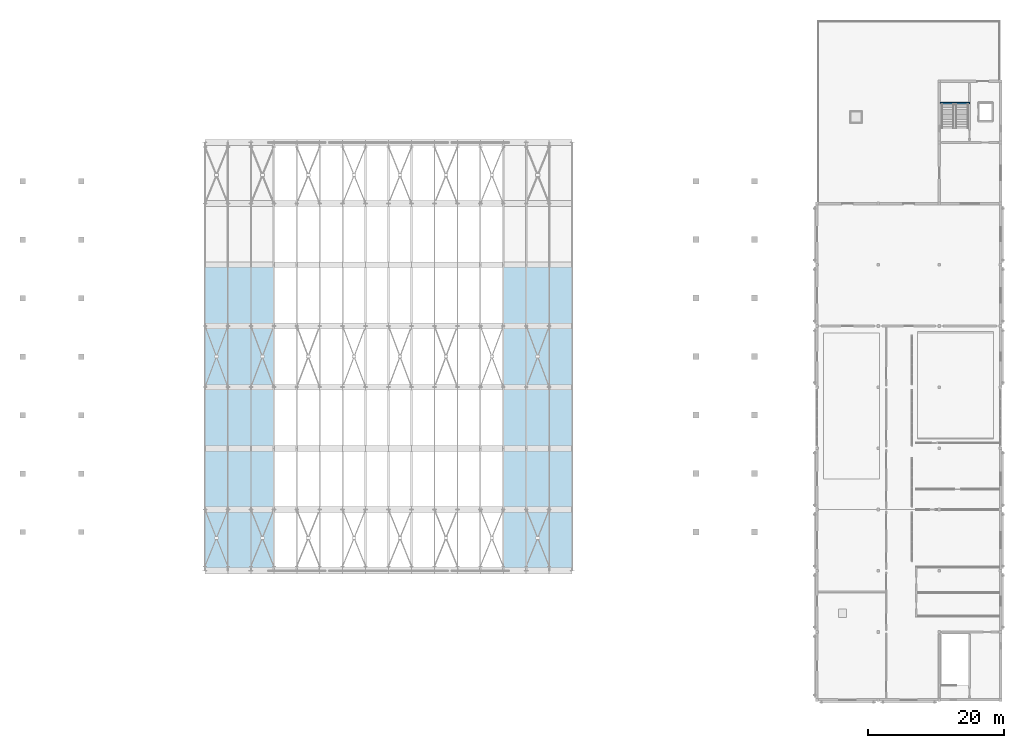
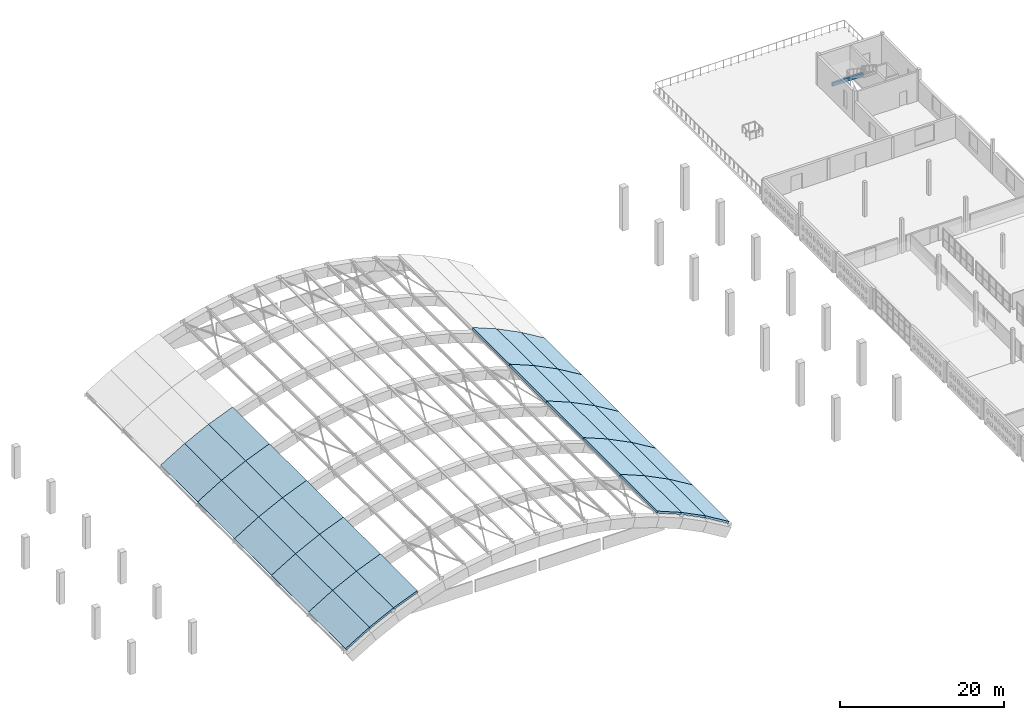
# One storey, part 15 of 30: 30 slabs, 1 beam.
"""IFC4 building model written with IfcOpenShell, lengths in metres."""

from ifc_helpers import new_model, si_unit, direction, frame, origin, origin_2d, place, context, subcontext, project, spatial, polyline, rectangle, outline, extrude, material, layer, layer_set, material_profile, profile_set, type_object, element, save


model = new_model("IFC4")

# Units and contexts
model_context = context("Model", 3, precision=1e-05, world=origin(), true_north=direction((0.0, 1.0)))
body_context = subcontext(model_context, "Body", "Model", "MODEL_VIEW")
ifc_project = project(units=[si_unit("LENGTHUNIT", "METRE"), si_unit("AREAUNIT", "SQUARE_METRE"), si_unit("VOLUMEUNIT", "CUBIC_METRE"), si_unit("PLANEANGLEUNIT", "RADIAN"), si_unit("MASSUNIT", "GRAM", prefix="KILO")], contexts=[model_context])

# Site, building, storey
site_placement = place(None, origin())
site = spatial("IfcSite", under=ifc_project, at=site_placement, CompositionType="ELEMENT")
building_placement = place(site_placement, origin())
building = spatial("IfcBuilding", under=site, at=building_placement, Name="Ornek Quay Market", CompositionType="ELEMENT")
storey_placement = place(building_placement, frame((0.0, 0.0, 12.0)))
storey = spatial("IfcBuildingStorey", under=building, at=storey_placement, Name="L03", CompositionType="ELEMENT", Elevation=12.0)

# Beam
ifc_material_1 = material(Name="Concrete C35/45", Category="concrete")
ifc_material_profile = material_profile(ifc_material_1, rectangle(XDim=0.280029296875, YDim=0.5, at=origin_2d()), Name="RC 280x500", Category="concrete")
ifc_profile_set = profile_set([ifc_material_profile], Name="Concrete C35/45")
beam_type = type_object("IfcBeamType", Name="BM-SEC-280x500", PredefinedType="JOIST", material=ifc_profile_set)
beam_placement = place(storey_placement, frame((171.14990234375, 97.7919921875, 1.909912109375), z_axis=(1.0, 0.0, 0.0), x_axis=(0.0, 1.0, 0.0)))
element("IfcBeam", 1, at=beam_placement, inside=storey, type_object=beam_type, Name="Stair landing beam BL-13", PredefinedType="JOIST", context=body_context, shape_type="SweptSolid", body=[
    extrude(rectangle(XDim=0.280029296875, YDim=0.5, at=origin_2d()), origin(), (0.0, 0.0, 1.0), 4.300048828125),
])

# Slabs
ifc_material_2 = material(Name="Concrete C45/55", Category="concrete")
ifc_layer = layer(ifc_material_2, 0.2900390625, Name="Concrete C45/55", Category="concrete")
ifc_layer_set = layer_set([ifc_layer], Name="Concrete C45/55")
slab_type = type_object("IfcSlabType", Name="SL-VLT-SHELL-290", PredefinedType="ROOF", material=ifc_layer_set)
slab_1_placement = place(storey_placement, frame((63.0, 29.0, -2.409912109375), z_axis=(-0.516434771675, 0.0, 0.856326530364), x_axis=(0.856326530364, 0.0, 0.516434771675)))
element("IfcSlab", 2, at=slab_1_placement, inside=storey, type_object=slab_type, Name="Sloped roof slab S-081 (L03)", PredefinedType="ROOF", context=body_context, shape_type="SweptSolid", body=[
    extrude(outline(polyline([(0.0, 0.0), (3.9412535759776235, 0.0), (3.9412535759776235, 9.0), (0.0, 9.0), (0.0, 0.0)])), origin(), (0.0, 0.0, -1.0), 0.2900390625),
])
slab_2_placement = place(storey_placement, frame((66.375, 29.0, -0.37451171875), z_axis=(-0.447575811248, 0.0, 0.894245991428), x_axis=(0.894245991428, 0.0, 0.447575811248)))
element("IfcSlab", 3, at=slab_2_placement, inside=storey, type_object=slab_type, Name="Sloped roof slab S-082 (L03)", PredefinedType="ROOF", context=body_context, shape_type="SweptSolid", body=[
    extrude(outline(polyline([(0.0, 0.0), (3.774129302619774, 0.0), (3.774129302619774, 9.000000000000002), (0.0, 9.000000000000002), (0.0, 0.0)])), origin(), (0.0, 0.0, -1.0), 0.2900390625),
])
for number, where, z_axis, x_axis, name in (
    (4, (69.75, 29.0, 1.314697265625), (-0.378731904742, 0.0, 0.925506425872), (0.925506425872, 0.0, 0.378731904742), "Sloped roof slab S-083 (L03)"),
    (5, (106.875, 29.0, 2.69580078125), (0.378731904742, 0.0, 0.925506425872), (0.925506425872, 0.0, -0.378731904742), "Sloped roof slab S-094 (L03)"),
):
    element("IfcSlab", number, at=place(storey_placement, frame(where, z_axis=z_axis, x_axis=x_axis)), inside=storey, type_object=slab_type, Name=name, PredefinedType="ROOF", context=body_context, shape_type="SweptSolid", body=[
        extrude(outline(polyline([(0.0, 0.0), (3.646652152436771, 0.0), (3.646652152436771, 9.0), (0.0, 9.0), (0.0, 0.0)])), origin(), (0.0, 0.0, -1.0), 0.2900390625),
    ])
slab_3_placement = place(storey_placement, frame((110.25, 29.0, 1.314697265625), z_axis=(0.447575811248, 0.0, 0.894245991428), x_axis=(0.894245991428, 0.0, -0.447575811248)))
element("IfcSlab", 6, at=slab_3_placement, inside=storey, type_object=slab_type, Name="Sloped roof slab S-095 (L03)", PredefinedType="ROOF", context=body_context, shape_type="SweptSolid", body=[
    extrude(outline(polyline([(0.0, 0.0), (3.774129302619774, 0.0), (3.774129302619774, 9.000000000000002), (0.0, 9.000000000000002), (0.0, 0.0)])), origin(), (0.0, 0.0, -1.0), 0.2900390625),
])
for number, where, z_axis, x_axis, name in (
    (7, (113.625, 29.0, -0.37451171875), (0.516434771675, 0.0, 0.856326530364), (0.856326530364, 0.0, -0.516434771675), "Sloped roof slab S-096 (L03)"),
    (8, (63.0, 38.0, -2.409912109375), (-0.516434771675, 0.0, 0.856326530364), (0.856326530364, 0.0, 0.516434771675), "Sloped roof slab S-097 (L03)"),
):
    element("IfcSlab", number, at=place(storey_placement, frame(where, z_axis=z_axis, x_axis=x_axis)), inside=storey, type_object=slab_type, Name=name, PredefinedType="ROOF", context=body_context, shape_type="SweptSolid", body=[
        extrude(outline(polyline([(0.0, 0.0), (3.9412535759776235, 0.0), (3.9412535759776235, 9.0), (0.0, 9.0), (0.0, 0.0)])), origin(), (0.0, 0.0, -1.0), 0.2900390625),
    ])
slab_4_placement = place(storey_placement, frame((66.375, 38.0, -0.37451171875), z_axis=(-0.447575811248, 0.0, 0.894245991428), x_axis=(0.894245991428, 0.0, 0.447575811248)))
element("IfcSlab", 9, at=slab_4_placement, inside=storey, type_object=slab_type, Name="Sloped roof slab S-098 (L03)", PredefinedType="ROOF", context=body_context, shape_type="SweptSolid", body=[
    extrude(outline(polyline([(0.0, 0.0), (3.774129302619774, 0.0), (3.774129302619774, 9.000000000000002), (0.0, 9.000000000000002), (0.0, 0.0)])), origin(), (0.0, 0.0, -1.0), 0.2900390625),
])
for number, where, z_axis, x_axis, name in (
    (10, (69.75, 38.0, 1.314697265625), (-0.378731904742, 0.0, 0.925506425872), (0.925506425872, 0.0, 0.378731904742), "Sloped roof slab S-099 (L03)"),
    (11, (106.875, 38.0, 2.69580078125), (0.378731904742, 0.0, 0.925506425872), (0.925506425872, 0.0, -0.378731904742), "Sloped roof slab S-110 (L03)"),
):
    element("IfcSlab", number, at=place(storey_placement, frame(where, z_axis=z_axis, x_axis=x_axis)), inside=storey, type_object=slab_type, Name=name, PredefinedType="ROOF", context=body_context, shape_type="SweptSolid", body=[
        extrude(outline(polyline([(0.0, 0.0), (3.646652152436771, 0.0), (3.646652152436771, 9.0), (0.0, 9.0), (0.0, 0.0)])), origin(), (0.0, 0.0, -1.0), 0.2900390625),
    ])
slab_5_placement = place(storey_placement, frame((110.25, 38.0, 1.314697265625), z_axis=(0.447575811248, 0.0, 0.894245991428), x_axis=(0.894245991428, 0.0, -0.447575811248)))
element("IfcSlab", 12, at=slab_5_placement, inside=storey, type_object=slab_type, Name="Sloped roof slab S-111 (L03)", PredefinedType="ROOF", context=body_context, shape_type="SweptSolid", body=[
    extrude(outline(polyline([(0.0, 0.0), (3.774129302619774, 0.0), (3.774129302619774, 9.000000000000002), (0.0, 9.000000000000002), (0.0, 0.0)])), origin(), (0.0, 0.0, -1.0), 0.2900390625),
])
for number, where, z_axis, x_axis, name in (
    (13, (113.625, 38.0, -0.37451171875), (0.516434771675, 0.0, 0.856326530364), (0.856326530364, 0.0, -0.516434771675), "Sloped roof slab S-112 (L03)"),
    (14, (63.0, 47.0, -2.409912109375), (-0.516434771675, 0.0, 0.856326530364), (0.856326530364, 0.0, 0.516434771675), "Sloped roof slab S-113 (L03)"),
):
    element("IfcSlab", number, at=place(storey_placement, frame(where, z_axis=z_axis, x_axis=x_axis)), inside=storey, type_object=slab_type, Name=name, PredefinedType="ROOF", context=body_context, shape_type="SweptSolid", body=[
        extrude(outline(polyline([(0.0, 0.0), (3.9412535759776235, 0.0), (3.9412535759776235, 9.0), (0.0, 9.0), (0.0, 0.0)])), origin(), (0.0, 0.0, -1.0), 0.2900390625),
    ])
slab_6_placement = place(storey_placement, frame((66.375, 47.0, -0.37451171875), z_axis=(-0.447575811248, 0.0, 0.894245991428), x_axis=(0.894245991428, 0.0, 0.447575811248)))
element("IfcSlab", 15, at=slab_6_placement, inside=storey, type_object=slab_type, Name="Sloped roof slab S-114 (L03)", PredefinedType="ROOF", context=body_context, shape_type="SweptSolid", body=[
    extrude(outline(polyline([(0.0, 0.0), (3.774129302619774, 0.0), (3.774129302619774, 9.000000000000002), (0.0, 9.000000000000002), (0.0, 0.0)])), origin(), (0.0, 0.0, -1.0), 0.2900390625),
])
for number, where, z_axis, x_axis, name in (
    (16, (69.75, 47.0, 1.314697265625), (-0.378731904742, 0.0, 0.925506425872), (0.925506425872, 0.0, 0.378731904742), "Sloped roof slab S-115 (L03)"),
    (17, (106.875, 47.0, 2.69580078125), (0.378731904742, 0.0, 0.925506425872), (0.925506425872, 0.0, -0.378731904742), "Sloped roof slab S-126 (L03)"),
):
    element("IfcSlab", number, at=place(storey_placement, frame(where, z_axis=z_axis, x_axis=x_axis)), inside=storey, type_object=slab_type, Name=name, PredefinedType="ROOF", context=body_context, shape_type="SweptSolid", body=[
        extrude(outline(polyline([(0.0, 0.0), (3.646652152436771, 0.0), (3.646652152436771, 9.0), (0.0, 9.0), (0.0, 0.0)])), origin(), (0.0, 0.0, -1.0), 0.2900390625),
    ])
slab_7_placement = place(storey_placement, frame((110.25, 47.0, 1.314697265625), z_axis=(0.447575811248, 0.0, 0.894245991428), x_axis=(0.894245991428, 0.0, -0.447575811248)))
element("IfcSlab", 18, at=slab_7_placement, inside=storey, type_object=slab_type, Name="Sloped roof slab S-127 (L03)", PredefinedType="ROOF", context=body_context, shape_type="SweptSolid", body=[
    extrude(outline(polyline([(0.0, 0.0), (3.774129302619774, 0.0), (3.774129302619774, 9.000000000000002), (0.0, 9.000000000000002), (0.0, 0.0)])), origin(), (0.0, 0.0, -1.0), 0.2900390625),
])
for number, where, z_axis, x_axis, name in (
    (19, (113.625, 47.0, -0.37451171875), (0.516434771675, 0.0, 0.856326530364), (0.856326530364, 0.0, -0.516434771675), "Sloped roof slab S-128 (L03)"),
    (20, (63.0, 56.0, -2.409912109375), (-0.516434771675, 0.0, 0.856326530364), (0.856326530364, 0.0, 0.516434771675), "Sloped roof slab S-129 (L03)"),
):
    element("IfcSlab", number, at=place(storey_placement, frame(where, z_axis=z_axis, x_axis=x_axis)), inside=storey, type_object=slab_type, Name=name, PredefinedType="ROOF", context=body_context, shape_type="SweptSolid", body=[
        extrude(outline(polyline([(0.0, 0.0), (3.9412535759776235, 0.0), (3.9412535759776235, 9.0), (0.0, 9.0), (0.0, 0.0)])), origin(), (0.0, 0.0, -1.0), 0.2900390625),
    ])
slab_8_placement = place(storey_placement, frame((66.375, 56.0, -0.37451171875), z_axis=(-0.447575811248, 0.0, 0.894245991428), x_axis=(0.894245991428, 0.0, 0.447575811248)))
element("IfcSlab", 21, at=slab_8_placement, inside=storey, type_object=slab_type, Name="Sloped roof slab S-130 (L03)", PredefinedType="ROOF", context=body_context, shape_type="SweptSolid", body=[
    extrude(outline(polyline([(0.0, 0.0), (3.774129302619774, 0.0), (3.774129302619774, 9.000000000000002), (0.0, 9.000000000000002), (0.0, 0.0)])), origin(), (0.0, 0.0, -1.0), 0.2900390625),
])
for number, where, z_axis, x_axis, name in (
    (22, (69.75, 56.0, 1.314697265625), (-0.378731904742, 0.0, 0.925506425872), (0.925506425872, 0.0, 0.378731904742), "Sloped roof slab S-131 (L03)"),
    (23, (106.875, 56.0, 2.69580078125), (0.378731904742, 0.0, 0.925506425872), (0.925506425872, 0.0, -0.378731904742), "Sloped roof slab S-142 (L03)"),
):
    element("IfcSlab", number, at=place(storey_placement, frame(where, z_axis=z_axis, x_axis=x_axis)), inside=storey, type_object=slab_type, Name=name, PredefinedType="ROOF", context=body_context, shape_type="SweptSolid", body=[
        extrude(outline(polyline([(0.0, 0.0), (3.646652152436771, 0.0), (3.646652152436771, 9.0), (0.0, 9.0), (0.0, 0.0)])), origin(), (0.0, 0.0, -1.0), 0.2900390625),
    ])
slab_9_placement = place(storey_placement, frame((110.25, 56.0, 1.314697265625), z_axis=(0.447575811248, 0.0, 0.894245991428), x_axis=(0.894245991428, 0.0, -0.447575811248)))
element("IfcSlab", 24, at=slab_9_placement, inside=storey, type_object=slab_type, Name="Sloped roof slab S-143 (L03)", PredefinedType="ROOF", context=body_context, shape_type="SweptSolid", body=[
    extrude(outline(polyline([(0.0, 0.0), (3.774129302619774, 0.0), (3.774129302619774, 9.000000000000002), (0.0, 9.000000000000002), (0.0, 0.0)])), origin(), (0.0, 0.0, -1.0), 0.2900390625),
])
for number, where, z_axis, x_axis, name in (
    (25, (113.625, 56.0, -0.37451171875), (0.516434771675, 0.0, 0.856326530364), (0.856326530364, 0.0, -0.516434771675), "Sloped roof slab S-144 (L03)"),
    (26, (63.0, 65.0, -2.409912109375), (-0.516434771675, 0.0, 0.856326530364), (0.856326530364, 0.0, 0.516434771675), "Sloped roof slab S-145 (L03)"),
):
    element("IfcSlab", number, at=place(storey_placement, frame(where, z_axis=z_axis, x_axis=x_axis)), inside=storey, type_object=slab_type, Name=name, PredefinedType="ROOF", context=body_context, shape_type="SweptSolid", body=[
        extrude(outline(polyline([(0.0, 0.0), (3.9412535759776235, 0.0), (3.9412535759776235, 9.0), (0.0, 9.0), (0.0, 0.0)])), origin(), (0.0, 0.0, -1.0), 0.2900390625),
    ])
slab_10_placement = place(storey_placement, frame((66.375, 65.0, -0.37451171875), z_axis=(-0.447575811248, 0.0, 0.894245991428), x_axis=(0.894245991428, 0.0, 0.447575811248)))
element("IfcSlab", 27, at=slab_10_placement, inside=storey, type_object=slab_type, Name="Sloped roof slab S-146 (L03)", PredefinedType="ROOF", context=body_context, shape_type="SweptSolid", body=[
    extrude(outline(polyline([(0.0, 0.0), (3.774129302619774, 0.0), (3.774129302619774, 9.000000000000002), (0.0, 9.000000000000002), (0.0, 0.0)])), origin(), (0.0, 0.0, -1.0), 0.2900390625),
])
for number, where, z_axis, x_axis, name in (
    (28, (69.75, 65.0, 1.314697265625), (-0.378731904742, 0.0, 0.925506425872), (0.925506425872, 0.0, 0.378731904742), "Sloped roof slab S-147 (L03)"),
    (29, (106.875, 65.0, 2.69580078125), (0.378731904742, 0.0, 0.925506425872), (0.925506425872, 0.0, -0.378731904742), "Sloped roof slab S-158 (L03)"),
):
    element("IfcSlab", number, at=place(storey_placement, frame(where, z_axis=z_axis, x_axis=x_axis)), inside=storey, type_object=slab_type, Name=name, PredefinedType="ROOF", context=body_context, shape_type="SweptSolid", body=[
        extrude(outline(polyline([(0.0, 0.0), (3.646652152436771, 0.0), (3.646652152436771, 9.0), (0.0, 9.0), (0.0, 0.0)])), origin(), (0.0, 0.0, -1.0), 0.2900390625),
    ])
slab_11_placement = place(storey_placement, frame((110.25, 65.0, 1.314697265625), z_axis=(0.447575811248, 0.0, 0.894245991428), x_axis=(0.894245991428, 0.0, -0.447575811248)))
element("IfcSlab", 30, at=slab_11_placement, inside=storey, type_object=slab_type, Name="Sloped roof slab S-159 (L03)", PredefinedType="ROOF", context=body_context, shape_type="SweptSolid", body=[
    extrude(outline(polyline([(0.0, 0.0), (3.774129302619774, 0.0), (3.774129302619774, 9.000000000000002), (0.0, 9.000000000000002), (0.0, 0.0)])), origin(), (0.0, 0.0, -1.0), 0.2900390625),
])
slab_12_placement = place(storey_placement, frame((113.625, 65.0, -0.37451171875), z_axis=(0.516434771675, 0.0, 0.856326530364), x_axis=(0.856326530364, 0.0, -0.516434771675)))
element("IfcSlab", 31, at=slab_12_placement, inside=storey, type_object=slab_type, Name="Sloped roof slab S-160 (L03)", PredefinedType="ROOF", context=body_context, shape_type="SweptSolid", body=[
    extrude(outline(polyline([(0.0, 0.0), (3.9412535759776235, 0.0), (3.9412535759776235, 9.0), (0.0, 9.0), (0.0, 0.0)])), origin(), (0.0, 0.0, -1.0), 0.2900390625),
])

save(model, "model.ifc")
